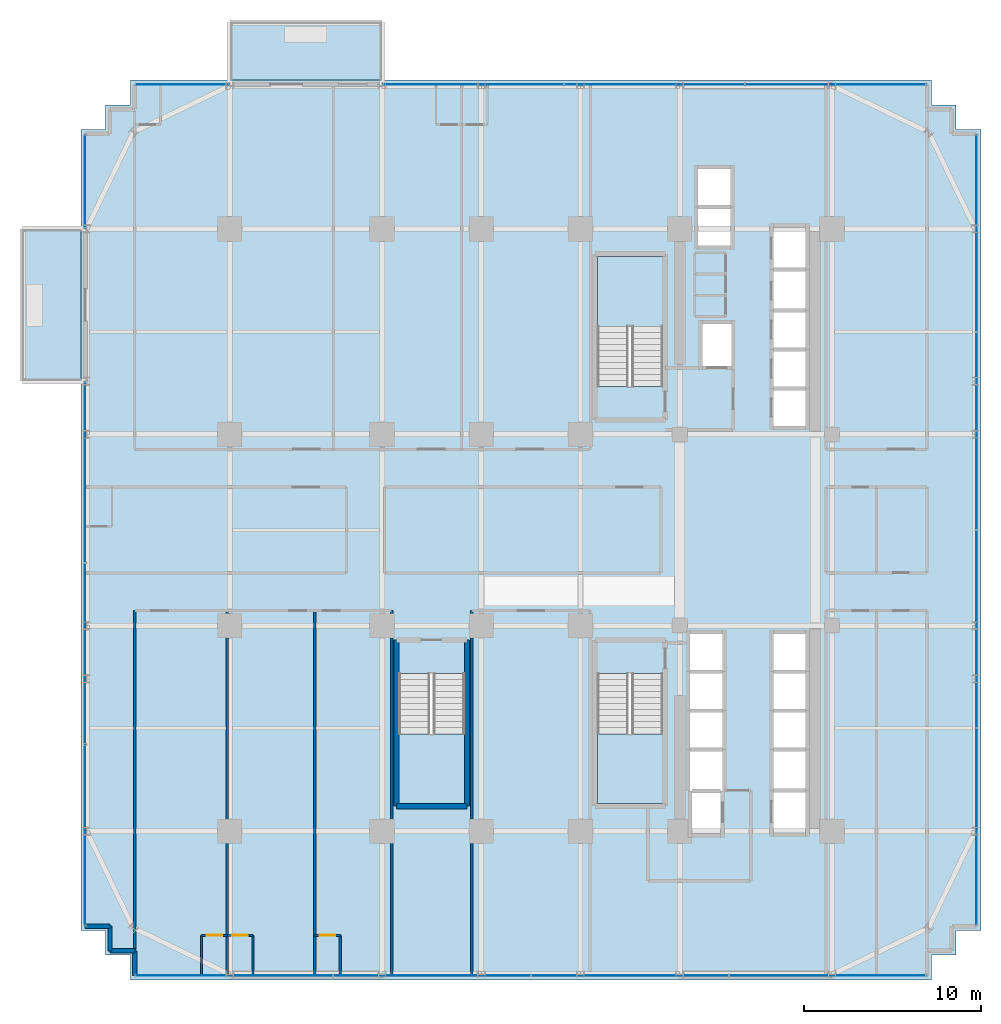
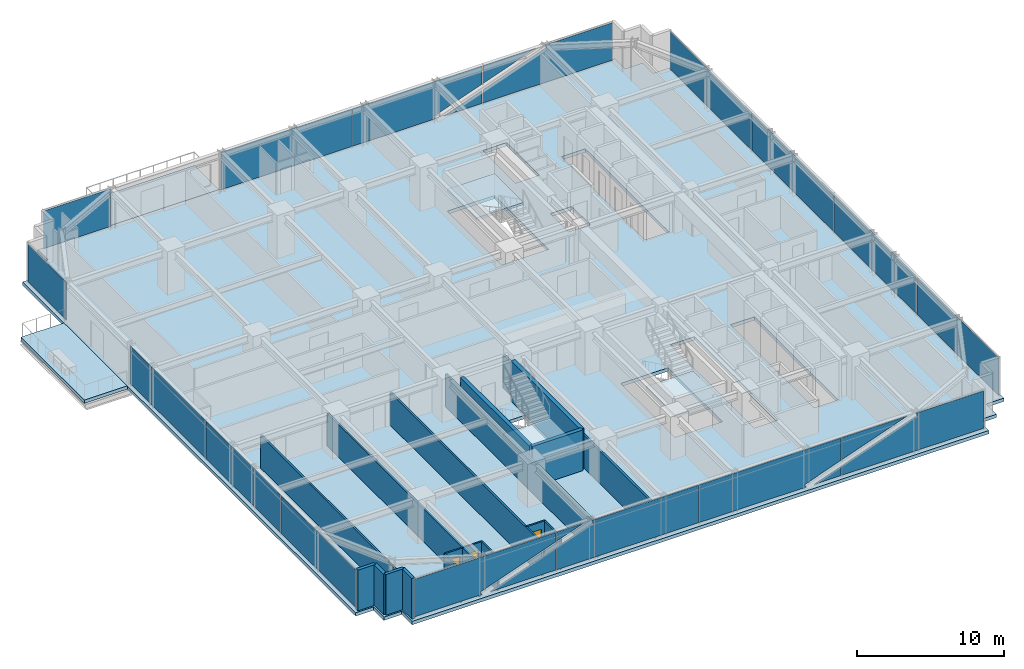
# One storey, part 28 of 36: 18 walls, 16 plates, 6 slabs, 3 doors, 3 openings, 9 elements without a shape of their own.
"""IFC4 building model written with IfcOpenShell, lengths in metres."""

from ifc_helpers import new_model, si_unit, direction, frame, frame_2d, origin, origin_2d, place, context, subcontext, project, spatial, polyline, rectangle, outline, extrude, source, transform, mapped, material, layer, layer_set, type_object, element, fill, aggregate, save


model = new_model("IFC4")

# Units and contexts
model_context = context("Model", 3, precision=1e-05, world=origin(), true_north=direction((0.0, 1.0)))
body_context = subcontext(model_context, "Body", "Model", "MODEL_VIEW")
ifc_project = project(units=[si_unit("LENGTHUNIT", "METRE"), si_unit("AREAUNIT", "SQUARE_METRE"), si_unit("VOLUMEUNIT", "CUBIC_METRE"), si_unit("PLANEANGLEUNIT", "RADIAN"), si_unit("MASSUNIT", "GRAM", prefix="KILO")], contexts=[model_context])

# Site, building, storey
site_placement = place(None, origin())
site = spatial("IfcSite", under=ifc_project, at=site_placement, CompositionType="ELEMENT")
building_placement = place(site_placement, origin())
building = spatial("IfcBuilding", under=site, at=building_placement, Name="Nahalor Promenade Grand Hotel", CompositionType="ELEMENT")
storey_placement = place(building_placement, frame((0.0, 0.0, 76.199951171875)))
storey = spatial("IfcBuildingStorey", under=building, at=storey_placement, Name="L18", CompositionType="ELEMENT", Elevation=76.199951171875)

# Curtain wall, plates
ifc_material_1 = material(Name="Anodised Bronze Aluminium EN AW-6063 T6", Category="aluminium")
curtain_wall_type = type_object("IfcCurtainWallType", Name="CW2 Typical Hotel Flush Bronze Unitised Curtain Wall", PredefinedType="USERDEFINED", material=ifc_material_1)
curtain_wall_1_placement = place(storey_placement, origin())
curtain_wall_1 = element("IfcCurtainWall", 1, at=curtain_wall_1_placement, inside=storey, type_object=curtain_wall_type, Name="L18 Curtain Wall CW-L18-S-1", ObjectType="UNITISED_CURTAIN_WALL", PredefinedType="USERDEFINED")
ifc_material_2 = material(Name="Low-E Laminated Solar Glass", Category="glass")
ifc_layer_1 = layer(ifc_material_2, 0.028076171875)
ifc_layer_set_1 = layer_set([ifc_layer_1], Name="Low-E Laminated Solar Glass")
plate_type = type_object("IfcPlateType", Name="CWP2 Bronze Low-E Vision IGU 28mm", PredefinedType="CURTAIN_PANEL", material=ifc_layer_set_1)
plate_1_placement = place(storey_placement, frame((-16.753662109375, -25.159912109375, 0.1298828125), z_axis=(0.0, 0.0, 1.0), x_axis=(1.0, 0.0, 0.0)))
plate_1 = element("IfcPlate", 2, at=plate_1_placement, type_object=plate_type, Name="CW-L18-S-1 Glazing Panel 0-0", PredefinedType="CURTAIN_PANEL", context=body_context, shape_type="SweptSolid", body=[
    extrude(outline(polyline([(-5.541259765625, 3.110107421875), (-5.541259765625, 0.0), (-0.265625, 0.0), (-0.353759765625, 0.2470703125), (5.541259765625, 2.3515625), (5.541259765625, 3.110107421875), (-5.541259765625, 3.110107421875)])), frame((0.0, 0.01416015625, 0.0), z_axis=(0.0, -1.0, 0.0), x_axis=(1.0, 0.0, 0.0)), (0.0, 0.0, 1.0), 0.028076171875),
    extrude(outline(polyline([(0.44140625, 0.0), (5.541259765625, 0.0), (5.541259765625, 1.820556640625), (0.44140625, 0.0)])), frame((0.0, 0.01416015625, 0.0), z_axis=(0.0, -1.0, 0.0), x_axis=(1.0, 0.0, 0.0)), (0.0, 0.0, 1.0), 0.028076171875),
])
plate_2_placement = place(storey_placement, frame((-5.590087890625, -25.159912109375, 0.1298828125), z_axis=(0.0, 0.0, 1.0), x_axis=(1.0, 0.0, 0.0)))
plate_2 = element("IfcPlate", 3, at=plate_2_placement, type_object=plate_type, Name="CW-L18-S-1 Glazing Panel 1-0", PredefinedType="CURTAIN_PANEL", context=body_context, shape_type="SweptSolid", body=[
    extrude(outline(polyline([(5.5576171875, 0.0), (5.5576171875, 3.110107421875), (-2.79052734375, 3.110107421875), (-2.702392578125, 2.863037109375), (-5.5576171875, 1.84375), (-5.5576171875, 0.0), (5.5576171875, 0.0)])), frame((0.0, 0.01416015625, 0.0), z_axis=(0.0, -1.0, 0.0), x_axis=(1.0, 0.0, 0.0)), (0.0, 0.0, 1.0), 0.028076171875),
    extrude(outline(polyline([(-3.49755859375, 3.110107421875), (-5.5576171875, 3.110107421875), (-5.5576171875, 2.374755859375), (-3.49755859375, 3.110107421875)])), frame((0.0, 0.01416015625, 0.0), z_axis=(0.0, -1.0, 0.0), x_axis=(1.0, 0.0, 0.0)), (0.0, 0.0, 1.0), 0.028076171875),
])
plate_3_placement = place(storey_placement, frame((5.590087890625, -25.159912109375, 0.1298828125), z_axis=(0.0, 0.0, 1.0), x_axis=(1.0, 0.0, 0.0)))
plate_3 = element("IfcPlate", 4, at=plate_3_placement, type_object=plate_type, Name="CW-L18-S-1 Glazing Panel 2-0", PredefinedType="CURTAIN_PANEL", context=body_context, shape_type="SweptSolid", body=[
    extrude(outline(polyline([(-5.5576171875, 3.110107421875), (-5.5576171875, 0.0), (2.79052734375, 0.0), (2.702392578125, 0.2470703125), (5.5576171875, 1.266357421875), (5.5576171875, 3.110107421875), (-5.5576171875, 3.110107421875)])), frame((0.0, 0.01416015625, 0.0), z_axis=(0.0, -1.0, 0.0), x_axis=(1.0, 0.0, 0.0)), (0.0, 0.0, 1.0), 0.028076171875),
    extrude(outline(polyline([(3.49755859375, 0.0), (5.5576171875, 0.0), (5.5576171875, 0.7353515625), (3.49755859375, 0.0)])), frame((0.0, 0.01416015625, 0.0), z_axis=(0.0, -1.0, 0.0), x_axis=(1.0, 0.0, 0.0)), (0.0, 0.0, 1.0), 0.028076171875),
])
plate_4_placement = place(storey_placement, frame((16.753662109375, -25.159912109375, 0.1298828125), z_axis=(0.0, 0.0, 1.0), x_axis=(1.0, 0.0, 0.0)))
plate_4 = element("IfcPlate", 5, at=plate_4_placement, type_object=plate_type, Name="CW-L18-S-1 Glazing Panel 3-0", PredefinedType="CURTAIN_PANEL", context=body_context, shape_type="SweptSolid", body=[
    extrude(outline(polyline([(5.541259765625, 0.0), (5.541259765625, 3.110107421875), (0.265625, 3.110107421875), (0.353759765625, 2.863037109375), (-5.541259765625, 0.758544921875), (-5.541259765625, 0.0), (5.541259765625, 0.0)])), frame((0.0, 0.01416015625, 0.0), z_axis=(0.0, -1.0, 0.0), x_axis=(1.0, 0.0, 0.0)), (0.0, 0.0, 1.0), 0.028076171875),
    extrude(outline(polyline([(-0.44140625, 3.110107421875), (-5.541259765625, 3.110107421875), (-5.541259765625, 1.28955078125), (-0.44140625, 3.110107421875)])), frame((0.0, 0.01416015625, 0.0), z_axis=(0.0, -1.0, 0.0), x_axis=(1.0, 0.0, 0.0)), (0.0, 0.0, 1.0), 0.028076171875),
])
aggregate(curtain_wall_1, [plate_1, plate_2, plate_3, plate_4])

curtain_wall_2_placement = place(storey_placement, origin())
curtain_wall_2 = element("IfcCurtainWall", 6, at=curtain_wall_2_placement, inside=storey, type_object=curtain_wall_type, Name="L18 Curtain Wall CW-L18-N-3", ObjectType="UNITISED_CURTAIN_WALL", PredefinedType="USERDEFINED")
plate_5_placement = place(storey_placement, frame((6.97998046875, 25.159912109375, 0.1298828125), z_axis=(0.0, 0.0, 1.0), x_axis=(1.0, 0.0, 0.0)))
plate_5 = element("IfcPlate", 7, at=plate_5_placement, type_object=plate_type, Name="CW-L18-N-3 Glazing Panel 1-0", PredefinedType="CURTAIN_PANEL", context=body_context, shape_type="SweptSolid", body=[
    extrude(outline(polyline([(-5.09423828125, 3.110107421875), (-5.09423828125, 0.0), (1.400634765625, 0.0), (1.3125, 0.2470703125), (5.09423828125, 1.596923828125), (5.09423828125, 3.110107421875), (-5.09423828125, 3.110107421875)])), frame((0.0, 0.01416015625, 0.0), z_axis=(0.0, -1.0, 0.0), x_axis=(1.0, 0.0, 0.0)), (0.0, 0.0, 1.0), 0.028076171875),
    extrude(outline(polyline([(2.107666015625, 0.0), (5.09423828125, 0.0), (5.09423828125, 1.066162109375), (2.107666015625, 0.0)])), frame((0.0, 0.01416015625, 0.0), z_axis=(0.0, -1.0, 0.0), x_axis=(1.0, 0.0, 0.0)), (0.0, 0.0, 1.0), 0.028076171875),
])
plate_6_placement = place(storey_placement, frame((17.217041015625, 25.159912109375, 0.1298828125), z_axis=(0.0, 0.0, 1.0), x_axis=(1.0, 0.0, 0.0)))
plate_6 = element("IfcPlate", 8, at=plate_6_placement, type_object=plate_type, Name="CW-L18-N-3 Glazing Panel 2-0", PredefinedType="CURTAIN_PANEL", context=body_context, shape_type="SweptSolid", body=[
    extrude(outline(polyline([(5.077880859375, 0.0), (5.077880859375, 3.110107421875), (-0.19775390625, 3.110107421875), (-0.109375, 2.863037109375), (-5.077880859375, 1.08935546875), (-5.077880859375, 0.0), (5.077880859375, 0.0)])), frame((0.0, 0.01416015625, 0.0), z_axis=(0.0, -1.0, 0.0), x_axis=(1.0, 0.0, 0.0)), (0.0, 0.0, 1.0), 0.028076171875),
    extrude(outline(polyline([(-0.90478515625, 3.110107421875), (-5.077880859375, 3.110107421875), (-5.077880859375, 1.620361328125), (-0.90478515625, 3.110107421875)])), frame((0.0, 0.01416015625, 0.0), z_axis=(0.0, -1.0, 0.0), x_axis=(1.0, 0.0, 0.0)), (0.0, 0.0, 1.0), 0.028076171875),
])

# Stair, slab
ifc_material_3 = material(Name="Concrete B-50 (C40/50)", Category="concrete")
stair_type_1 = type_object("IfcStairType", Name="Stair-ST1", PredefinedType="HALF_TURN_STAIR", material=ifc_material_3)
stair_1_placement = place(storey_placement, origin())
stair_1 = element("IfcStair", 9, at=stair_1_placement, inside=storey, type_object=stair_type_1, Name="L18 ST1", PredefinedType="HALF_TURN_STAIR")
ifc_layer_2 = layer(ifc_material_3, 0.199951171875)
ifc_layer_set_2 = layer_set([ifc_layer_2], Name="Concrete B-50 (C40/50)")
slab_type_1 = type_object("IfcSlabType", Name="Landing-ST1", PredefinedType="LANDING", material=ifc_layer_set_2)
slab_1_placement = place(storey_placement, frame((0.0, 0.0, 1.625)))
slab_1 = element("IfcSlab", 10, at=slab_1_placement, type_object=slab_type_1, Name="ST1 landing 1", PredefinedType="LANDING", context=body_context, shape_type="SweptSolid", body=[
    extrude(outline(polyline([(7.449951171875, 11.5), (7.449951171875, 15.449951171875), (3.75, 15.449951171875), (3.75, 11.5), (7.449951171875, 11.5)])), origin(), (0.0, 0.0, 1.0), 0.199951171875),
])
aggregate(stair_1, [slab_1])

stair_type_2 = type_object("IfcStairType", Name="Stair-ST2", PredefinedType="HALF_TURN_STAIR", material=ifc_material_3)
stair_2_placement = place(storey_placement, origin())
stair_2 = element("IfcStair", 11, at=stair_2_placement, inside=storey, type_object=stair_type_2, Name="L18 ST2", PredefinedType="HALF_TURN_STAIR")
ifc_layer_3 = layer(ifc_material_3, 0.2099609375)
ifc_layer_set_3 = layer_set([ifc_layer_3], Name="Concrete B-50 (C40/50)")
slab_type_2 = type_object("IfcSlabType", Name="Landing-ST2", PredefinedType="LANDING", material=ifc_layer_set_3)
slab_2_placement = place(storey_placement, frame((0.0, 0.0, 1.614990234375)))
slab_2 = element("IfcSlab", 12, at=slab_2_placement, type_object=slab_type_2, Name="ST2 landing 1", PredefinedType="LANDING", context=body_context, shape_type="SweptSolid", body=[
    extrude(outline(polyline([(3.75, -11.5), (3.75, -15.449951171875), (7.449951171875, -15.449951171875), (7.449951171875, -11.5), (3.75, -11.5)])), origin(), (0.0, 0.0, 1.0), 0.2099609375),
])
aggregate(stair_2, [slab_2])

stair_type_3 = type_object("IfcStairType", Name="Stair-ST3", PredefinedType="HALF_TURN_STAIR", material=ifc_material_3)
stair_3_placement = place(storey_placement, origin())
stair_3 = element("IfcStair", 13, at=stair_3_placement, inside=storey, type_object=stair_type_3, Name="L18 ST3", PredefinedType="HALF_TURN_STAIR")
ifc_layer_4 = layer(ifc_material_3, 0.219970703125)
ifc_layer_set_4 = layer_set([ifc_layer_4], Name="Concrete B-50 (C40/50)")
slab_type_3 = type_object("IfcSlabType", Name="Landing-ST3", PredefinedType="LANDING", material=ifc_layer_set_4)
slab_3_placement = place(storey_placement, frame((0.0, 0.0, 1.60498046875)))
slab_3 = element("IfcSlab", 14, at=slab_3_placement, type_object=slab_type_3, Name="ST3 landing 1", PredefinedType="LANDING", context=body_context, shape_type="SweptSolid", body=[
    extrude(outline(polyline([(-7.449951171875, -11.5), (-7.449951171875, -15.449951171875), (-3.75, -15.449951171875), (-3.75, -11.5), (-7.449951171875, -11.5)])), origin(), (0.0, 0.0, 1.0), 0.219970703125),
])
aggregate(stair_3, [slab_3])

# Slabs
ifc_layer_5 = layer(ifc_material_3, 0.280029296875)
ifc_layer_set_5 = layer_set([ifc_layer_5], Name="Concrete B-50 (C40/50)")
slab_type_4 = type_object("IfcSlabType", Name="Slab-Balcony-280", PredefinedType="FLOOR", material=ifc_layer_set_5)
slab_4_placement = place(storey_placement, frame((0.0, 0.0, -0.280029296875)))
element("IfcSlab", 15, at=slab_4_placement, inside=storey, type_object=slab_type_4, Name="L18 Cantilevered Planted Balcony 1", PredefinedType="FLOOR", context=body_context, shape_type="SweptSolid", body=[
    extrude(outline(polyline([(-17.0, 25.39990234375), (-8.39990234375, 25.39990234375), (-8.39990234375, 28.719970703125), (-17.0, 28.719970703125), (-17.0, 25.39990234375)])), origin(), (0.0, 0.0, 1.0), 0.280029296875),
])
slab_5_placement = place(storey_placement, frame((0.0, 0.0, -0.280029296875)))
element("IfcSlab", 16, at=slab_5_placement, inside=storey, type_object=slab_type_4, Name="L18 Cantilevered Planted Balcony 2", PredefinedType="FLOOR", context=body_context, shape_type="SweptSolid", body=[
    extrude(outline(polyline([(-28.77001953125, 8.39990234375), (-25.39990234375, 8.39990234375), (-25.39990234375, 17.0), (-28.77001953125, 17.0), (-28.77001953125, 8.39990234375)])), origin(), (0.0, 0.0, 1.0), 0.280029296875),
])
ifc_layer_6 = layer(ifc_material_3, 0.280029296875)
ifc_layer_set_6 = layer_set([ifc_layer_6], Name="Concrete B-50 (C40/50)")
slab_type_5 = type_object("IfcSlabType", Name="Slab-TowerZ1-280", PredefinedType="FLOOR", material=ifc_layer_set_6)
slab_6_placement = place(storey_placement, frame((0.0, 0.0, -0.280029296875)))
element("IfcSlab", 17, at=slab_6_placement, inside=storey, type_object=slab_type_5, Name="L18 Suspended Structural Floor Slab", PredefinedType="FLOOR", context=body_context, shape_type="SweptSolid", body=[
    extrude(outline(polyline([(-22.60009765625, -25.39990234375), (22.60009765625, -25.39990234375), (22.60009765625, -24.0), (24.0, -24.0), (24.0, -22.60009765625), (25.39990234375, -22.60009765625), (25.39990234375, 22.60009765625), (24.0, 22.60009765625), (24.0, 24.0), (22.60009765625, 24.0), (22.60009765625, 25.39990234375), (-22.60009765625, 25.39990234375), (-22.60009765625, 24.0), (-24.0, 24.0), (-24.0, 22.60009765625), (-25.39990234375, 22.60009765625), (-25.39990234375, -22.60009765625), (-24.0, -22.60009765625), (-24.0, -24.0), (-22.60009765625, -24.0), (-22.60009765625, -25.39990234375)]), holes=[polyline([(3.75, 8.10009765625), (7.449951171875, 8.10009765625), (7.449951171875, 15.449951171875), (3.75, 15.449951171875), (3.75, 8.10009765625)]), polyline([(3.75, -15.449951171875), (7.449951171875, -15.449951171875), (7.449951171875, -8.10009765625), (3.75, -8.10009765625), (3.75, -15.449951171875)]), polyline([(-7.449951171875, -15.449951171875), (-3.75, -15.449951171875), (-3.75, -8.10009765625), (-7.449951171875, -8.10009765625), (-7.449951171875, -15.449951171875)]), polyline([(13.659912109375, 5.81005859375), (15.5400390625, 5.81005859375), (15.5400390625, 17.139892578125), (13.659912109375, 17.139892578125), (13.659912109375, 5.81005859375)]), polyline([(13.659912109375, -17.139892578125), (15.5400390625, -17.139892578125), (15.5400390625, -5.81005859375), (13.659912109375, -5.81005859375), (13.659912109375, -17.139892578125)]), polyline([(8.9599609375, -17.18994140625), (10.840087890625, -17.18994140625), (10.840087890625, -5.81005859375), (8.9599609375, -5.81005859375), (8.9599609375, -17.18994140625)]), polyline([(9.409912109375, 16.010009765625), (11.2900390625, 16.010009765625), (11.2900390625, 20.43994140625), (9.409912109375, 20.43994140625), (9.409912109375, 16.010009765625)]), polyline([(9.659912109375, 9.2099609375), (11.340087890625, 9.2099609375), (11.340087890625, 11.68994140625), (9.659912109375, 11.68994140625), (9.659912109375, 9.2099609375)])]), origin(), (0.0, 0.0, 1.0), 0.280029296875),
])

# Curtain wall, plate
curtain_wall_3_placement = place(storey_placement, origin())
curtain_wall_3 = element("IfcCurtainWall", 18, at=curtain_wall_3_placement, inside=storey, type_object=curtain_wall_type, Name="L18 Curtain Wall CW-L18-N-1", ObjectType="UNITISED_CURTAIN_WALL", PredefinedType="USERDEFINED")
shared_shape_1 = source(origin(), body_context, "Body", "SweptSolid", [
    extrude(rectangle(XDim=5.22998046875, YDim=0.028076171875, at=origin_2d()), origin(), (0.0, 0.0, 1.0), 3.110107421875),
])
plate_7_placement = place(storey_placement, frame((-19.679931640625, 25.159912109375, 0.1298828125), z_axis=(0.0, 0.0, 1.0), x_axis=(1.0, 0.0, 0.0)))
plate_7 = element("IfcPlate", 19, at=plate_7_placement, type_object=plate_type, Name="CW-L18-N-1 Glazing Panel 0-0", PredefinedType="CURTAIN_PANEL", context=body_context, shape_type="MappedRepresentation", body=[
    mapped(shared_shape_1, transform((0.0, 0.0, 0.0), scale=1.0)),
])
aggregate(curtain_wall_3, [plate_7])

curtain_wall_4_placement = place(storey_placement, origin())
curtain_wall_4 = element("IfcCurtainWall", 20, at=curtain_wall_4_placement, inside=storey, type_object=curtain_wall_type, Name="L18 Curtain Wall CW-L18-W-3", ObjectType="UNITISED_CURTAIN_WALL", PredefinedType="USERDEFINED")
plate_8_placement = place(storey_placement, frame((-25.159912109375, 19.679931640625, 0.1298828125), z_axis=(0.0, 0.0, 1.0), x_axis=(0.0, 1.0, 0.0)))
plate_8 = element("IfcPlate", 21, at=plate_8_placement, type_object=plate_type, Name="CW-L18-W-3 Glazing Panel 0-0", PredefinedType="CURTAIN_PANEL", context=body_context, shape_type="MappedRepresentation", body=[
    mapped(shared_shape_1, transform((0.0, 0.0, 0.0), scale=1.0)),
])
aggregate(curtain_wall_4, [plate_8])

# Plate
shared_shape_2 = source(origin(), body_context, "Body", "SweptSolid", [
    extrude(rectangle(XDim=10.15576171875, YDim=0.028076171875, at=origin_2d()), origin(), (0.0, 0.0, 1.0), 3.110107421875),
])
plate_9_placement = place(storey_placement, frame((-3.257080078125, 25.159912109375, 0.1298828125), z_axis=(0.0, 0.0, 1.0), x_axis=(1.0, 0.0, 0.0)))
plate_9 = element("IfcPlate", 22, at=plate_9_placement, type_object=plate_type, Name="CW-L18-N-3 Glazing Panel 0-0", PredefinedType="CURTAIN_PANEL", context=body_context, shape_type="MappedRepresentation", body=[
    mapped(shared_shape_2, transform((0.0, 0.0, 0.0), scale=1.0)),
])

aggregate(curtain_wall_2, [plate_9, plate_5, plate_6])

# Curtain wall, plates
curtain_wall_5_placement = place(storey_placement, origin())
curtain_wall_5 = element("IfcCurtainWall", 23, at=curtain_wall_5_placement, inside=storey, type_object=curtain_wall_type, Name="L18 Curtain Wall CW-L18-W-1", ObjectType="UNITISED_CURTAIN_WALL", PredefinedType="USERDEFINED")
plate_10_placement = place(storey_placement, frame((-25.159912109375, -17.217041015625, 0.1298828125), z_axis=(0.0, 0.0, 1.0), x_axis=(0.0, 1.0, 0.0)))
plate_10 = element("IfcPlate", 24, at=plate_10_placement, type_object=plate_type, Name="CW-L18-W-1 Glazing Panel 0-0", PredefinedType="CURTAIN_PANEL", context=body_context, shape_type="MappedRepresentation", body=[
    mapped(shared_shape_2, transform((0.0, 0.0, 0.0), scale=1.0)),
])
plate_11_placement = place(storey_placement, frame((-25.159912109375, 3.257080078125, 0.1298828125), z_axis=(0.0, 0.0, 1.0), x_axis=(0.0, 1.0, 0.0)))
plate_11 = element("IfcPlate", 25, at=plate_11_placement, type_object=plate_type, Name="CW-L18-W-1 Glazing Panel 2-0", PredefinedType="CURTAIN_PANEL", context=body_context, shape_type="MappedRepresentation", body=[
    mapped(shared_shape_2, transform((0.0, 0.0, 0.0), scale=1.0)),
])
shared_shape_3 = source(origin(), body_context, "Body", "SweptSolid", [
    extrude(rectangle(XDim=10.188232421875, YDim=0.028076171875, at=origin_2d()), origin(), (0.0, 0.0, 1.0), 3.110107421875),
])
plate_12_placement = place(storey_placement, frame((-25.159912109375, -6.97998046875, 0.1298828125), z_axis=(0.0, 0.0, 1.0), x_axis=(0.0, 1.0, 0.0)))
plate_12 = element("IfcPlate", 26, at=plate_12_placement, type_object=plate_type, Name="CW-L18-W-1 Glazing Panel 1-0", PredefinedType="CURTAIN_PANEL", context=body_context, shape_type="MappedRepresentation", body=[
    mapped(shared_shape_3, transform((0.0, 0.0, 0.0), scale=1.0)),
])
aggregate(curtain_wall_5, [plate_10, plate_12, plate_11])

curtain_wall_6_placement = place(storey_placement, origin())
curtain_wall_6 = element("IfcCurtainWall", 27, at=curtain_wall_6_placement, inside=storey, type_object=curtain_wall_type, Name="L18 Curtain Wall CW-L18-E-1", ObjectType="UNITISED_CURTAIN_WALL", PredefinedType="USERDEFINED")
shared_shape_4 = source(origin(), body_context, "Body", "SweptSolid", [
    extrude(rectangle(XDim=11.08251953125, YDim=0.028076171875, at=origin_2d()), origin(), (0.0, 0.0, 1.0), 3.110107421875),
])
plate_13_placement = place(storey_placement, frame((25.159912109375, -16.753662109375, 0.1298828125), z_axis=(0.0, 0.0, 1.0), x_axis=(0.0, 1.0, 0.0)))
plate_13 = element("IfcPlate", 28, at=plate_13_placement, type_object=plate_type, Name="CW-L18-E-1 Glazing Panel 0-0", PredefinedType="CURTAIN_PANEL", context=body_context, shape_type="MappedRepresentation", body=[
    mapped(shared_shape_4, transform((0.0, 0.0, 0.0), scale=1.0)),
])
plate_14_placement = place(storey_placement, frame((25.159912109375, 16.753662109375, 0.1298828125), z_axis=(0.0, 0.0, 1.0), x_axis=(0.0, 1.0, 0.0)))
plate_14 = element("IfcPlate", 29, at=plate_14_placement, type_object=plate_type, Name="CW-L18-E-1 Glazing Panel 3-0", PredefinedType="CURTAIN_PANEL", context=body_context, shape_type="MappedRepresentation", body=[
    mapped(shared_shape_4, transform((0.0, 0.0, 0.0), scale=1.0)),
])
shared_shape_5 = source(origin(), body_context, "Body", "SweptSolid", [
    extrude(rectangle(XDim=11.114990234375, YDim=0.028076171875, at=origin_2d()), origin(), (0.0, 0.0, 1.0), 3.110107421875),
])
plate_15_placement = place(storey_placement, frame((25.159912109375, -5.590087890625, 0.1298828125), z_axis=(0.0, 0.0, 1.0), x_axis=(0.0, 1.0, 0.0)))
plate_15 = element("IfcPlate", 30, at=plate_15_placement, type_object=plate_type, Name="CW-L18-E-1 Glazing Panel 1-0", PredefinedType="CURTAIN_PANEL", context=body_context, shape_type="MappedRepresentation", body=[
    mapped(shared_shape_5, transform((0.0, 0.0, 0.0), scale=1.0)),
])
plate_16_placement = place(storey_placement, frame((25.159912109375, 5.590087890625, 0.1298828125), z_axis=(0.0, 0.0, 1.0), x_axis=(0.0, 1.0, 0.0)))
plate_16 = element("IfcPlate", 31, at=plate_16_placement, type_object=plate_type, Name="CW-L18-E-1 Glazing Panel 2-0", PredefinedType="CURTAIN_PANEL", context=body_context, shape_type="MappedRepresentation", body=[
    mapped(shared_shape_5, transform((0.0, 0.0, 0.0), scale=1.0)),
])
aggregate(curtain_wall_6, [plate_13, plate_15, plate_16, plate_14])

# Walls
ifc_layer_7 = layer(ifc_material_3, 0.300048828125)
ifc_layer_set_7 = layer_set([ifc_layer_7], Name="Concrete B-50 (C40/50)")
wall_type_1 = type_object("IfcWallType", Name="Wall-ShaftShear-300", PredefinedType="SHEAR", material=ifc_layer_set_7)
shared_shape_6 = source(origin(), body_context, "Body", "SweptSolid", [
    extrude(rectangle(XDim=3.97998046875, YDim=0.300048828125, at=frame_2d((1.989990234375, 0.0))), origin(), (0.0, 0.0, 1.0), 3.3701171875),
])
wall_1_placement = place(storey_placement, frame((-7.590087890625, -15.590087890625, 0.0), z_axis=(0.0, 0.0, 1.0), x_axis=(1.0, 0.0, 0.0)))
element("IfcWall", 32, at=wall_1_placement, inside=storey, type_object=wall_type_1, Name="L18 Exit Stair ST3 Shaft Wall S", PredefinedType="SHEAR", context=body_context, shape_type="MappedRepresentation", body=[
    mapped(shared_shape_6, transform((0.0, 0.0, 0.0), scale=1.0)),
])
shared_shape_7 = source(origin(), body_context, "Body", "SweptSolid", [
    extrude(rectangle(XDim=9.380126953125, YDim=0.300048828125, at=frame_2d((4.68994140625, 0.0))), origin(), (0.0, 0.0, 1.0), 3.3701171875),
])
for number, where, z_axis, x_axis, name in (
    (33, (-7.590087890625, -15.590087890625, 0.0), (0.0, 0.0, 1.0), (0.0, 1.0, 0.0), "L18 Exit Stair ST3 Shaft Wall W"),
    (34, (-3.610107421875, -15.590087890625, 0.0), (0.0, 0.0, 1.0), (0.0, 1.0, 0.0), "L18 Exit Stair ST3 Shaft Wall E"),
):
    element("IfcWall", number, at=place(storey_placement, frame(where, z_axis=z_axis, x_axis=x_axis)), inside=storey, type_object=wall_type_1, Name=name, PredefinedType="SHEAR", context=body_context, shape_type="MappedRepresentation", body=[
        mapped(shared_shape_7, transform((0.0, 0.0, 0.0), scale=1.0)),
    ])
ifc_material_4 = material(Name="Concrete B-40 (C32/40)", Category="concrete")
ifc_layer_8 = layer(ifc_material_4, 0.25)
ifc_layer_set_8 = layer_set([ifc_layer_8], Name="Concrete B-40 (C32/40)")
wall_type_2 = type_object("IfcWallType", Name="Wall-BronzePier-250", PredefinedType="STANDARD", material=ifc_layer_set_8)
shared_shape_8 = source(origin(), body_context, "Body", "SweptSolid", [
    extrude(rectangle(XDim=1.39990234375, YDim=0.25, at=frame_2d((0.699951171875, 0.0))), origin(), (0.0, 0.0, 1.0), 3.3701171875),
])
for number, where, z_axis, x_axis, name in (
    (35, (-25.159912109375, -22.360107421875, 0.0), (0.0, 0.0, 1.0), (1.0, 0.0, 0.0), "W-L18-SR-13"),
    (36, (-23.760009765625, -23.760009765625, 0.0), (0.0, 0.0, 1.0), (0.0, 1.0, 0.0), "W-L18-SR-14"),
    (37, (-23.760009765625, -23.760009765625, 0.0), (0.0, 0.0, 1.0), (1.0, 0.0, 0.0), "W-L18-SR-15"),
    (38, (-22.360107421875, -25.159912109375, 0.0), (0.0, 0.0, 1.0), (0.0, 1.0, 0.0), "W-L18-SR-16"),
):
    element("IfcWall", number, at=place(storey_placement, frame(where, z_axis=z_axis, x_axis=x_axis)), inside=storey, type_object=wall_type_2, Name=name, PredefinedType="STANDARD", context=body_context, shape_type="MappedRepresentation", body=[
        mapped(shared_shape_8, transform((0.0, 0.0, 0.0), scale=1.0)),
    ])
ifc_material_5 = material(Name="Acoustic Mineral Gypsum", Category="gypsum")
ifc_layer_9 = layer(ifc_material_5, 0.159912109375)
ifc_layer_set_9 = layer_set([ifc_layer_9], Name="Acoustic Mineral Gypsum")
wall_type_3 = type_object("IfcWallType", Name="Wall-PartCorridor-160", PredefinedType="PARTITIONING", material=ifc_layer_set_9)
shared_shape_9 = source(origin(), body_context, "Body", "SweptSolid", [
    extrude(rectangle(XDim=20.550048828125, YDim=0.159912109375, at=frame_2d((10.27490234375, 0.0))), origin(), (0.0, 0.0, 1.0), 2.7099609375),
])
wall_2_placement = place(storey_placement, frame((-3.340087890625, -25.10009765625, 0.0), z_axis=(0.0, 0.0, 1.0), x_axis=(0.0, 1.0, 0.0)))
element("IfcWall", 39, at=wall_2_placement, inside=storey, type_object=wall_type_3, Name="W-L18-SCB-W", PredefinedType="PARTITIONING", context=body_context, shape_type="MappedRepresentation", body=[
    mapped(shared_shape_9, transform((0.0, 0.0, 0.0), scale=1.0)),
])
ifc_layer_10 = layer(ifc_material_5, 0.139892578125)
ifc_layer_set_10 = layer_set([ifc_layer_10], Name="Acoustic Mineral Gypsum")
wall_type_4 = type_object("IfcWallType", Name="Wall-PartSuite-140", PredefinedType="PARTITIONING", material=ifc_layer_set_10)
shared_shape_10 = source(origin(), body_context, "Body", "SweptSolid", [
    extrude(rectangle(XDim=19.1298828125, YDim=0.139892578125, at=frame_2d((9.56494140625, 0.0))), origin(), (0.0, 0.0, 1.0), 2.7099609375),
])
wall_3_placement = place(storey_placement, frame((-22.360107421875, -23.679931640625, 0.0), z_axis=(0.0, 0.0, 1.0), x_axis=(0.0, 1.0, 0.0)))
element("IfcWall", 40, at=wall_3_placement, inside=storey, type_object=wall_type_4, Name="W-L18-SW-ENDW", PredefinedType="PARTITIONING", context=body_context, shape_type="MappedRepresentation", body=[
    mapped(shared_shape_10, transform((0.0, 0.0, 0.0), scale=1.0)),
])
shared_shape_11 = source(origin(), body_context, "Body", "SweptSolid", [
    extrude(rectangle(XDim=20.550048828125, YDim=0.139892578125, at=frame_2d((10.27490234375, 0.0))), origin(), (0.0, 0.0, 1.0), 2.7099609375),
])
for number, where, z_axis, x_axis, name in (
    (41, (-7.860107421875, -25.10009765625, 0.0), (0.0, 0.0, 1.0), (0.0, 1.0, 0.0), "W-L18-SW-ENDE"),
    (42, (-17.139892578125, -25.10009765625, 0.0), (0.0, 0.0, 1.0), (0.0, 1.0, 0.0), "W-L18-SP-1"),
    (43, (-12.2099609375, -25.10009765625, 0.0), (0.0, 0.0, 1.0), (0.0, 1.0, 0.0), "W-L18-SP-2"),
):
    element("IfcWall", number, at=place(storey_placement, frame(where, z_axis=z_axis, x_axis=x_axis)), inside=storey, type_object=wall_type_4, Name=name, PredefinedType="PARTITIONING", context=body_context, shape_type="MappedRepresentation", body=[
        mapped(shared_shape_11, transform((0.0, 0.0, 0.0), scale=1.0)),
    ])

# Wall, opening, door
ifc_layer_11 = layer(ifc_material_5, 0.1201171875)
ifc_layer_set_11 = layer_set([ifc_layer_11], Name="Acoustic Mineral Gypsum")
wall_type_5 = type_object("IfcWallType", Name="Wall-PartBath-120", PredefinedType="PARTITIONING", material=ifc_layer_set_11)
shared_shape_12 = source(origin(), body_context, "Body", "SweptSolid", [
    extrude(rectangle(XDim=1.4501953125, YDim=0.1201171875, at=frame_2d((0.72509765625, 0.0))), origin(), (0.0, 0.0, 1.0), 2.7099609375),
])
wall_4_placement = place(storey_placement, frame((-18.590087890625, -22.8798828125, 0.0), z_axis=(0.0, 0.0, 1.0), x_axis=(1.0, 0.0, 0.0)))
wall_4 = element("IfcWall", 44, at=wall_4_placement, inside=storey, type_object=wall_type_5, Name="W-L18-S1-BH", PredefinedType="PARTITIONING", context=body_context, shape_type="MappedRepresentation", body=[
    mapped(shared_shape_12, transform((0.0, 0.0, 0.0), scale=1.0)),
])
opening_1_placement = place(wall_4_placement, frame((0.284912109375, 0.0, 0.0)))
opening_1 = element("IfcOpeningElement", 45, at=opening_1_placement, cuts=wall_4, Name="Opening D-03", PredefinedType="OPENING", context=body_context, shape_type="SweptSolid", body=[
    extrude(rectangle(XDim=0.8798828125, YDim=2.10009765625, at=frame_2d((0.43994140625, 1.050048828125))), frame((0.0, 0.070068359375, 0.0), z_axis=(0.0, -1.0, 0.0), x_axis=(1.0, 0.0, 0.0)), (0.0, 0.0, 1.0), 0.14013671875),
])
ifc_material_6 = material(Name="Fire-Rated Timber Composite", Category="wood")
door_type = type_object("IfcDoorType", Name="Door-BathSwing-880", OperationType="NOTDEFINED", PredefinedType="DOOR", material=ifc_material_6)
shared_shape_13 = source(origin(), body_context, "Body", "SweptSolid", [
    extrude(rectangle(XDim=0.8798828125, YDim=2.10009765625, at=frame_2d((0.43994140625, 1.050048828125))), frame((0.0, 0.02490234375, 0.0), z_axis=(0.0, -1.0, 0.0), x_axis=(1.0, 0.0, 0.0)), (0.0, 0.0, 1.0), 0.050048828125),
])
door_1_placement = place(opening_1_placement, frame((0.8798828125, 0.0, 0.0), z_axis=(0.0, 0.0, 1.0), x_axis=(-1.0, 0.0, 0.0)))
door_1 = element("IfcDoor", 46, at=door_1_placement, inside=storey, type_object=door_type, Name="DR-L18-S1-BATH", OperationType="SINGLE_SWING_LEFT", OverallHeight=2.10009765625, OverallWidth=0.8798828125, PredefinedType="DOOR", context=body_context, shape_type="MappedRepresentation", body=[
    mapped(shared_shape_13, transform((0.0, 0.0, 0.0), scale=1.0)),
])
fill(opening_1, door_1)

# Walls
shared_shape_14 = source(origin(), body_context, "Body", "SweptSolid", [
    extrude(rectangle(XDim=2.22021484375, YDim=0.1201171875, at=frame_2d((1.110107421875, 0.0))), origin(), (0.0, 0.0, 1.0), 2.7099609375),
])
for number, where, z_axis, x_axis, name in (
    (47, (-18.590087890625, -25.10009765625, 0.0), (0.0, 0.0, 1.0), (0.0, 1.0, 0.0), "W-L18-S1-BV"),
    (48, (-15.68994140625, -25.10009765625, 0.0), (0.0, 0.0, 1.0), (0.0, 1.0, 0.0), "W-L18-S2-BV"),
    (49, (-10.760009765625, -25.10009765625, 0.0), (0.0, 0.0, 1.0), (0.0, 1.0, 0.0), "W-L18-S3-BV"),
):
    element("IfcWall", number, at=place(storey_placement, frame(where, z_axis=z_axis, x_axis=x_axis)), inside=storey, type_object=wall_type_5, Name=name, PredefinedType="PARTITIONING", context=body_context, shape_type="MappedRepresentation", body=[
        mapped(shared_shape_14, transform((0.0, 0.0, 0.0), scale=1.0)),
    ])

# Wall, opening, door
shared_shape_15 = source(origin(), body_context, "Body", "SweptSolid", [
    extrude(rectangle(XDim=1.449951171875, YDim=0.1201171875, at=frame_2d((0.72509765625, 0.0))), origin(), (0.0, 0.0, 1.0), 2.7099609375),
])
wall_5_placement = place(storey_placement, frame((-17.139892578125, -22.8798828125, 0.0), z_axis=(0.0, 0.0, 1.0), x_axis=(1.0, 0.0, 0.0)))
wall_5 = element("IfcWall", 50, at=wall_5_placement, inside=storey, type_object=wall_type_5, Name="W-L18-S2-BH", PredefinedType="PARTITIONING", context=body_context, shape_type="MappedRepresentation", body=[
    mapped(shared_shape_15, transform((0.0, 0.0, 0.0), scale=1.0)),
])
opening_2_placement = place(wall_5_placement, frame((0.284912109375, 0.0, 0.0)))
opening_2 = element("IfcOpeningElement", 51, at=opening_2_placement, cuts=wall_5, Name="Opening D-03", PredefinedType="OPENING", context=body_context, shape_type="SweptSolid", body=[
    extrude(rectangle(XDim=0.8798828125, YDim=2.10009765625, at=frame_2d((0.43994140625, 1.050048828125))), frame((0.0, 0.070068359375, 0.0), z_axis=(0.0, -1.0, 0.0), x_axis=(1.0, 0.0, 0.0)), (0.0, 0.0, 1.0), 0.14013671875),
])
door_2_placement = place(opening_2_placement, frame((0.8798828125, 0.0, 0.0), z_axis=(0.0, 0.0, 1.0), x_axis=(-1.0, 0.0, 0.0)))
door_2 = element("IfcDoor", 52, at=door_2_placement, inside=storey, type_object=door_type, Name="DR-L18-S2-BATH", OperationType="SINGLE_SWING_LEFT", OverallHeight=2.10009765625, OverallWidth=0.8798828125, PredefinedType="DOOR", context=body_context, shape_type="MappedRepresentation", body=[
    mapped(shared_shape_13, transform((0.0, 0.0, 0.0), scale=1.0)),
])
fill(opening_2, door_2)

wall_6_placement = place(storey_placement, frame((-12.2099609375, -22.8798828125, 0.0), z_axis=(0.0, 0.0, 1.0), x_axis=(1.0, 0.0, 0.0)))
wall_6 = element("IfcWall", 53, at=wall_6_placement, inside=storey, type_object=wall_type_5, Name="W-L18-S3-BH", PredefinedType="PARTITIONING", context=body_context, shape_type="MappedRepresentation", body=[
    mapped(shared_shape_15, transform((0.0, 0.0, 0.0), scale=1.0)),
])
opening_3_placement = place(wall_6_placement, frame((0.284912109375, 0.0, 0.0)))
opening_3 = element("IfcOpeningElement", 54, at=opening_3_placement, cuts=wall_6, Name="Opening D-03", PredefinedType="OPENING", context=body_context, shape_type="SweptSolid", body=[
    extrude(rectangle(XDim=0.8798828125, YDim=2.10009765625, at=frame_2d((0.43994140625, 1.050048828125))), frame((0.0, 0.070068359375, 0.0), z_axis=(0.0, -1.0, 0.0), x_axis=(1.0, 0.0, 0.0)), (0.0, 0.0, 1.0), 0.14013671875),
])
door_3_placement = place(opening_3_placement, frame((0.8798828125, 0.0, 0.0), z_axis=(0.0, 0.0, 1.0), x_axis=(-1.0, 0.0, 0.0)))
door_3 = element("IfcDoor", 55, at=door_3_placement, inside=storey, type_object=door_type, Name="DR-L18-S3-BATH", OperationType="SINGLE_SWING_LEFT", OverallHeight=2.10009765625, OverallWidth=0.8798828125, PredefinedType="DOOR", context=body_context, shape_type="MappedRepresentation", body=[
    mapped(shared_shape_13, transform((0.0, 0.0, 0.0), scale=1.0)),
])
fill(opening_3, door_3)

save(model, "model.ifc")
